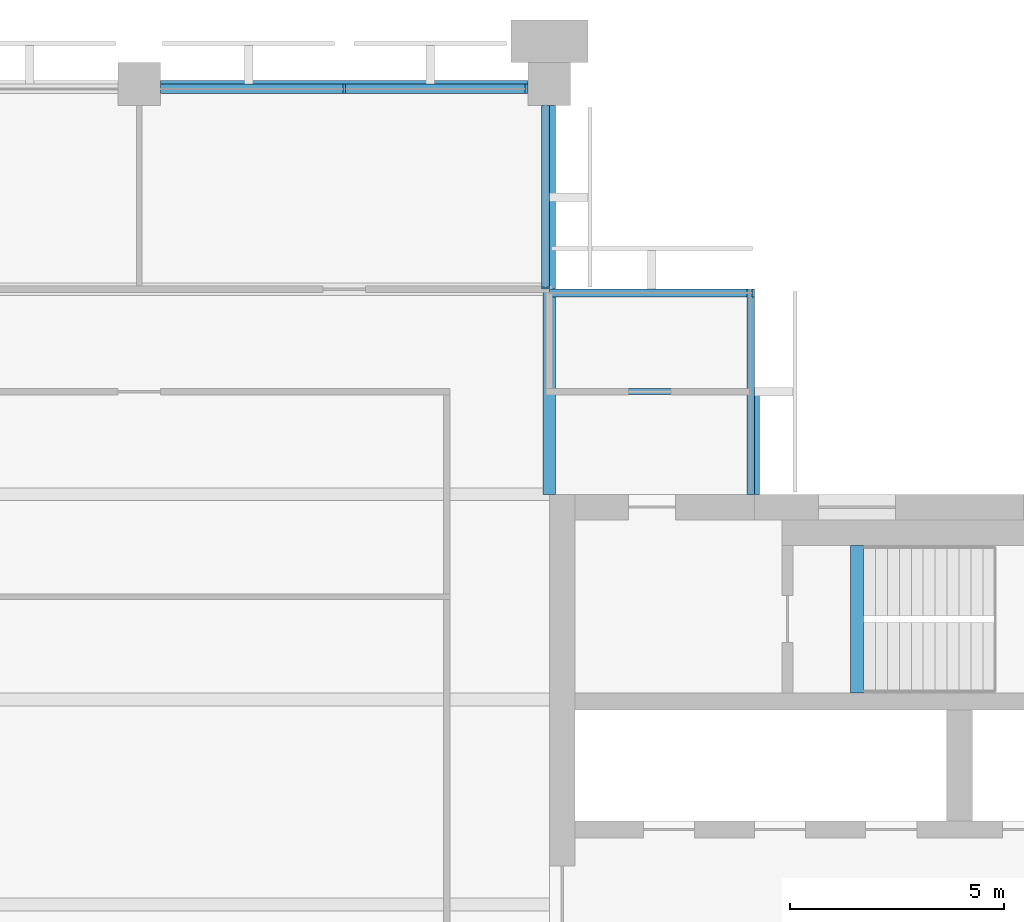
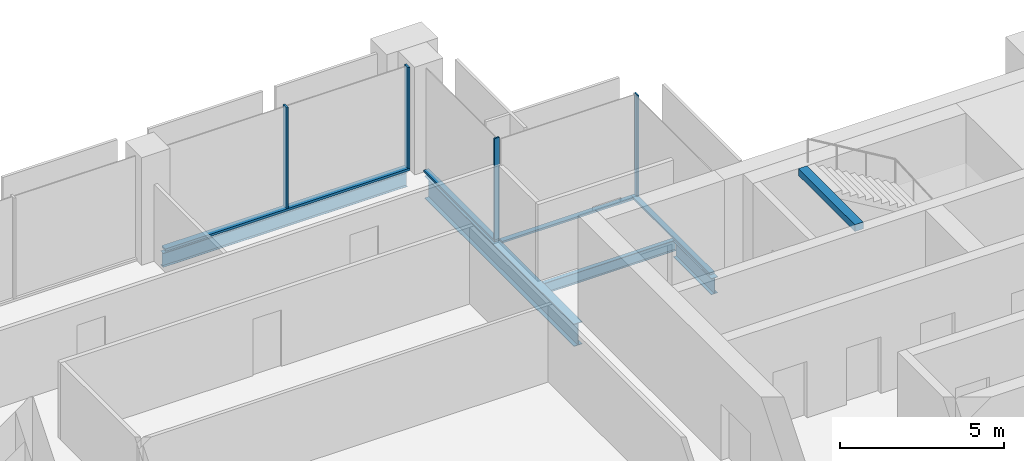
# One storey, part 6 of 12: 8 members, 5 beams, 4 elements without a shape of their own.
"""IFC4 building model written with IfcOpenShell, lengths in metres."""

from ifc_helpers import new_model, si_unit, direction, frame, origin, origin_2d, place, context, subcontext, project, spatial, rectangle, i_section, extrude, material, material_profile, profile_set, type_object, element, aggregate, save


model = new_model("IFC4")

# Units and contexts
model_context = context("Model", 3, precision=1e-05, world=origin(), true_north=direction((0.0, 1.0)))
body_context = subcontext(model_context, "Body", "Model", "MODEL_VIEW")
ifc_project = project(units=[si_unit("LENGTHUNIT", "METRE"), si_unit("AREAUNIT", "SQUARE_METRE"), si_unit("VOLUMEUNIT", "CUBIC_METRE"), si_unit("PLANEANGLEUNIT", "RADIAN"), si_unit("MASSUNIT", "GRAM", prefix="KILO")], contexts=[model_context])

# Site, building, storey
site_placement = place(None, origin())
site = spatial("IfcSite", under=ifc_project, at=site_placement, CompositionType="ELEMENT")
building_placement = place(site_placement, origin())
building = spatial("IfcBuilding", under=site, at=building_placement, Name="Baori Bourse Tower", CompositionType="ELEMENT")
storey_placement = place(building_placement, frame((0.0, 0.0, 310.300048828125)))
storey = spatial("IfcBuildingStorey", under=building, at=storey_placement, Name="L68", CompositionType="ELEMENT", Elevation=310.300048828125)

# Curtain wall, member
ifc_material_1 = material(Name="Pale anodised aluminium", Category="aluminium")
curtain_wall_type_1 = type_object("IfcCurtainWallType", Name="CW2 Curtain wall", PredefinedType="NOTDEFINED", material=ifc_material_1)
curtain_wall_1_placement = place(storey_placement, origin())
curtain_wall_1 = element("IfcCurtainWall", 1, at=curtain_wall_1_placement, inside=storey, type_object=curtain_wall_type_1, Name="Curtain wall CW2 L68 2", PredefinedType="NOTDEFINED")
ifc_material_2 = material(Name="Pale anodised aluminium", Category="aluminium")
ifc_material_profile_1 = material_profile(ifc_material_2, rectangle(XDim=0.179931640625, YDim=0.054931640625, at=origin_2d()), Name="Mullion 55x180")
ifc_profile_set_1 = profile_set([ifc_material_profile_1], Name="Pale anodised aluminium")
member_type_1 = type_object("IfcMemberType", Name="CW2 Curtain wall mullion", PredefinedType="MULLION", material=ifc_profile_set_1)
member_1_placement = place(storey_placement, frame((43.172607421875, 43.110107421875, 0.070068359375), z_axis=(0.0, 0.0, 1.0), x_axis=(0.0, -1.0, 0.0)))
member_1 = element("IfcMember", 2, at=member_1_placement, type_object=member_type_1, Name="Curtain wall CW2 mullion", PredefinedType="MULLION", context=body_context, shape_type="SweptSolid", body=[
    extrude(rectangle(XDim=0.179931640625, YDim=0.054931640625, at=origin_2d()), origin(), (0.0, 0.0, 1.0), 3.769775390625),
])

curtain_wall_2_placement = place(storey_placement, origin())
curtain_wall_2 = element("IfcCurtainWall", 3, at=curtain_wall_2_placement, inside=storey, type_object=curtain_wall_type_1, Name="Curtain wall CW2 L68 3", PredefinedType="NOTDEFINED")
member_2_placement = place(storey_placement, frame((38.31005859375, 43.2275390625, 0.070068359375), z_axis=(0.0, 0.0, 1.0), x_axis=(-1.0, 0.0, 0.0)))
member_2 = element("IfcMember", 4, at=member_2_placement, type_object=member_type_1, Name="Curtain wall CW2 mullion", PredefinedType="MULLION", context=body_context, shape_type="SweptSolid", body=[
    extrude(rectangle(XDim=0.179931640625, YDim=0.054931640625, at=origin_2d()), origin(), (0.0, 0.0, 1.0), 3.769775390625),
])

curtain_wall_3_placement = place(storey_placement, origin())
curtain_wall_3 = element("IfcCurtainWall", 5, at=curtain_wall_3_placement, inside=storey, type_object=curtain_wall_type_1, Name="Curtain wall CW2 L68 1", PredefinedType="NOTDEFINED")
ifc_material_3 = material(Name="Pale anodised aluminium", Category="aluminium")
ifc_material_profile_2 = material_profile(ifc_material_3, rectangle(XDim=0.179931640625, YDim=0.070068359375, at=origin_2d()), Name="Transom 70x180")
ifc_profile_set_2 = profile_set([ifc_material_profile_2], Name="Pale anodised aluminium")
member_type_2 = type_object("IfcMemberType", Name="CW2 Curtain wall transom", PredefinedType="USERDEFINED", material=ifc_profile_set_2)
member_3_placement = place(storey_placement, frame((43.110107421875, 38.39990234375, 0.034912109375), z_axis=(0.0, 1.0, 0.0), x_axis=(-1.0, 0.0, 0.0)))
member_3 = element("IfcMember", 6, at=member_3_placement, type_object=member_type_2, Name="Curtain wall CW2 sill rail", ObjectType="TRANSOM", PredefinedType="USERDEFINED", context=body_context, shape_type="SweptSolid", body=[
    extrude(rectangle(XDim=0.179931640625, YDim=0.070068359375, at=origin_2d()), origin(), (0.0, 0.0, 1.0), 4.800048828125),
])
aggregate(curtain_wall_3, [member_3])

# Member
member_4_placement = place(storey_placement, frame((43.199951171875, 43.110107421875, 0.034912109375), z_axis=(-1.0, 0.0, 0.0), x_axis=(0.0, -1.0, 0.0)))
member_4 = element("IfcMember", 7, at=member_4_placement, type_object=member_type_2, Name="Curtain wall CW2 sill rail", ObjectType="TRANSOM", PredefinedType="USERDEFINED", context=body_context, shape_type="SweptSolid", body=[
    extrude(rectangle(XDim=0.179931640625, YDim=0.070068359375, at=origin_2d()), origin(), (0.0, 0.0, 1.0), 4.800048828125),
])

aggregate(curtain_wall_1, [member_4, member_1])

member_5_placement = place(storey_placement, frame((38.31005859375, 43.199951171875, 0.034912109375), z_axis=(0.0, 1.0, 0.0), x_axis=(-1.0, 0.0, 0.0)))
member_5 = element("IfcMember", 8, at=member_5_placement, type_object=member_type_2, Name="Curtain wall CW2 sill rail", ObjectType="TRANSOM", PredefinedType="USERDEFINED", context=body_context, shape_type="SweptSolid", body=[
    extrude(rectangle(XDim=0.179931640625, YDim=0.070068359375, at=origin_2d()), origin(), (0.0, 0.0, 1.0), 4.300048828125),
])

aggregate(curtain_wall_2, [member_5, member_2])

# Curtain wall, members
ifc_material_4 = material(Name="Pale anodised aluminium", Category="aluminium")
curtain_wall_type_2 = type_object("IfcCurtainWallType", Name="CW5 Curtain wall", PredefinedType="NOTDEFINED", material=ifc_material_4)
curtain_wall_4_placement = place(storey_placement, origin())
curtain_wall_4 = element("IfcCurtainWall", 9, at=curtain_wall_4_placement, inside=storey, type_object=curtain_wall_type_2, Name="Curtain wall CW5 L68 4", PredefinedType="NOTDEFINED")
ifc_material_5 = material(Name="Pale anodised aluminium", Category="aluminium")
ifc_material_profile_3 = material_profile(ifc_material_5, rectangle(XDim=0.219970703125, YDim=0.06494140625, at=origin_2d()), Name="Mullion 65x220")
ifc_profile_set_3 = profile_set([ifc_material_profile_3], Name="Pale anodised aluminium")
member_type_3 = type_object("IfcMemberType", Name="CW5 Curtain wall mullion", PredefinedType="MULLION", material=ifc_profile_set_3)
member_6_placement = place(storey_placement, frame((37.867431640625, 47.889892578125, 0.0849609375), z_axis=(0.0, 0.0, 1.0), x_axis=(0.0, -1.0, 0.0)))
member_6 = element("IfcMember", 10, at=member_6_placement, type_object=member_type_3, Name="Curtain wall CW5 mullion", PredefinedType="MULLION", context=body_context, shape_type="SweptSolid", body=[
    extrude(rectangle(XDim=0.219970703125, YDim=0.06494140625, at=origin_2d()), origin(), (0.0, 0.0, 1.0), 3.7548828125),
])
member_7_placement = place(storey_placement, frame((33.60009765625, 47.889892578125, 0.0849609375), z_axis=(0.0, 0.0, 1.0), x_axis=(0.0, -1.0, 0.0)))
member_7 = element("IfcMember", 11, at=member_7_placement, type_object=member_type_3, Name="Curtain wall CW5 mullion", PredefinedType="MULLION", context=body_context, shape_type="SweptSolid", body=[
    extrude(rectangle(XDim=0.219970703125, YDim=0.06494140625, at=origin_2d()), origin(), (0.0, 0.0, 1.0), 3.7548828125),
])
ifc_material_6 = material(Name="Pale anodised aluminium", Category="aluminium")
ifc_material_profile_4 = material_profile(ifc_material_6, rectangle(XDim=0.219970703125, YDim=0.0849609375, at=origin_2d()), Name="Transom 85x220")
ifc_profile_set_4 = profile_set([ifc_material_profile_4], Name="Pale anodised aluminium")
member_type_4 = type_object("IfcMemberType", Name="CW5 Curtain wall transom", PredefinedType="USERDEFINED", material=ifc_profile_set_4)
member_8_placement = place(storey_placement, frame((37.89990234375, 47.889892578125, 0.04248046875), z_axis=(-1.0, 0.0, 0.0), x_axis=(0.0, -1.0, 0.0)))
member_8 = element("IfcMember", 12, at=member_8_placement, type_object=member_type_4, Name="Curtain wall CW5 sill rail", ObjectType="TRANSOM", PredefinedType="USERDEFINED", context=body_context, shape_type="SweptSolid", body=[
    extrude(rectangle(XDim=0.219970703125, YDim=0.0849609375, at=origin_2d()), origin(), (0.0, 0.0, 1.0), 8.599853515625),
])
aggregate(curtain_wall_4, [member_8, member_6, member_7])

# Beams
ifc_material_7 = material(Name="Steel A992 Gr 50", Category="steel")
ifc_material_profile_5 = material_profile(ifc_material_7, i_section(OverallWidth=0.227783203125, OverallDepth=0.60205078125, WebThickness=0.010498046875, FlangeThickness=0.014892578125, at=origin_2d()), Name="W24x68")
ifc_profile_set_5 = profile_set([ifc_material_profile_5], Name="Steel A992 Gr 50")
beam_type_1 = type_object("IfcBeamType", Name="Core bracket W24x68", PredefinedType="BEAM", material=ifc_profile_set_5)
beam_1_placement = place(storey_placement, frame((43.199951171875, 38.39990234375, -0.4609375), z_axis=(0.0, 1.0, 0.0), x_axis=(-1.0, 0.0, 0.0)))
element("IfcBeam", 13, at=beam_1_placement, inside=storey, type_object=beam_type_1, Name="Core bracket L68", PredefinedType="BEAM", context=body_context, shape_type="SweptSolid", body=[
    extrude(i_section(OverallWidth=0.227783203125, OverallDepth=0.60205078125, WebThickness=0.010498046875, FlangeThickness=0.014892578125, at=origin_2d()), origin(), (0.0, 0.0, 1.0), 2.329833984375),
])
ifc_material_8 = material(Name="Steel A992 Gr 50", Category="steel")
ifc_material_profile_6 = material_profile(ifc_material_8, i_section(OverallWidth=0.1650390625, OverallDepth=0.52587890625, WebThickness=0.0087890625, FlangeThickness=0.011474609375, at=origin_2d()), Name="W21x44")
ifc_profile_set_6 = profile_set([ifc_material_profile_6], Name="Steel A992 Gr 50")
beam_type_2 = type_object("IfcBeamType", Name="Edge beam W21x44", PredefinedType="BEAM", material=ifc_profile_set_6)
beam_2_placement = place(storey_placement, frame((29.300048828125, 48.0, -0.4228515625), z_axis=(1.0, 0.0, 0.0), x_axis=(0.0, 1.0, 0.0)))
element("IfcBeam", 14, at=beam_2_placement, inside=storey, type_object=beam_type_2, Name="Edge beam L68", PredefinedType="BEAM", context=body_context, shape_type="SweptSolid", body=[
    extrude(i_section(OverallWidth=0.1650390625, OverallDepth=0.52587890625, WebThickness=0.0087890625, FlangeThickness=0.011474609375, at=origin_2d()), origin(), (0.0, 0.0, 1.0), 8.599853515625),
])
ifc_material_9 = material(Name="Steel A992 Gr 50", Category="steel")
ifc_material_profile_7 = material_profile(ifc_material_9, i_section(OverallWidth=0.2919921875, OverallDepth=0.835693359375, WebThickness=0.013916015625, FlangeThickness=0.018798828125, at=origin_2d()), Name="W33x118")
ifc_profile_set_7 = profile_set([ifc_material_profile_7], Name="Steel A992 Gr 50")
beam_type_3 = type_object("IfcBeamType", Name="Girder W33x118", PredefinedType="BEAM", material=ifc_profile_set_7)
beam_3_placement = place(storey_placement, frame((38.39990234375, 38.39990234375, -0.577880859375), z_axis=(0.0, 1.0, 0.0), x_axis=(-1.0, 0.0, 0.0)))
element("IfcBeam", 15, at=beam_3_placement, inside=storey, type_object=beam_type_3, Name="Girder L68", PredefinedType="BEAM", context=body_context, shape_type="SweptSolid", body=[
    extrude(i_section(OverallWidth=0.2919921875, OverallDepth=0.835693359375, WebThickness=0.013916015625, FlangeThickness=0.018798828125, at=origin_2d()), origin(), (0.0, 0.0, 1.0), 9.10009765625),
])
ifc_material_10 = material(Name="Concrete f'c 50 MPa", Category="concrete")
ifc_material_profile_8 = material_profile(ifc_material_10, rectangle(XDim=0.300048828125, YDim=0.25, at=origin_2d()), Name="RC 300x250")
ifc_profile_set_8 = profile_set([ifc_material_profile_8], Name="Concrete f'c 50 MPa")
beam_type_4 = type_object("IfcBeamType", Name="Stair nib beam RC 300x250", PredefinedType="BEAM", material=ifc_profile_set_8)
beam_4_placement = place(storey_placement, frame((45.60009765625, 33.75, 3.71484375), z_axis=(0.0, 1.0, 0.0), x_axis=(-1.0, 0.0, 0.0)))
element("IfcBeam", 16, at=beam_4_placement, inside=storey, type_object=beam_type_4, Name="Stair EB nib beam L69", PredefinedType="BEAM", context=body_context, shape_type="SweptSolid", body=[
    extrude(rectangle(XDim=0.300048828125, YDim=0.25, at=origin_2d()), origin(), (0.0, 0.0, 1.0), 3.449951171875),
])
ifc_material_11 = material(Name="Steel A992 Gr 50", Category="steel")
ifc_material_profile_9 = material_profile(ifc_material_11, i_section(OverallWidth=0.140380859375, OverallDepth=0.40380859375, WebThickness=0.007080078125, FlangeThickness=0.01123046875, at=origin_2d()), Name="W16x31")
ifc_profile_set_9 = profile_set([ifc_material_profile_9], Name="Steel A992 Gr 50")
beam_type_5 = type_object("IfcBeamType", Name="Trimmer beam W16x31", PredefinedType="BEAM", material=ifc_profile_set_9)
beam_5_placement = place(storey_placement, frame((38.546142578125, 40.800048828125, -0.362060546875), z_axis=(1.0, 0.0, 0.0), x_axis=(0.0, 1.0, 0.0)))
element("IfcBeam", 17, at=beam_5_placement, inside=storey, type_object=beam_type_5, Name="Trimmer beam L68", PredefinedType="BEAM", context=body_context, shape_type="SweptSolid", body=[
    extrude(i_section(OverallWidth=0.140380859375, OverallDepth=0.40380859375, WebThickness=0.007080078125, FlangeThickness=0.01123046875, at=origin_2d()), origin(), (0.0, 0.0, 1.0), 4.65380859375),
])

save(model, "model.ifc")
